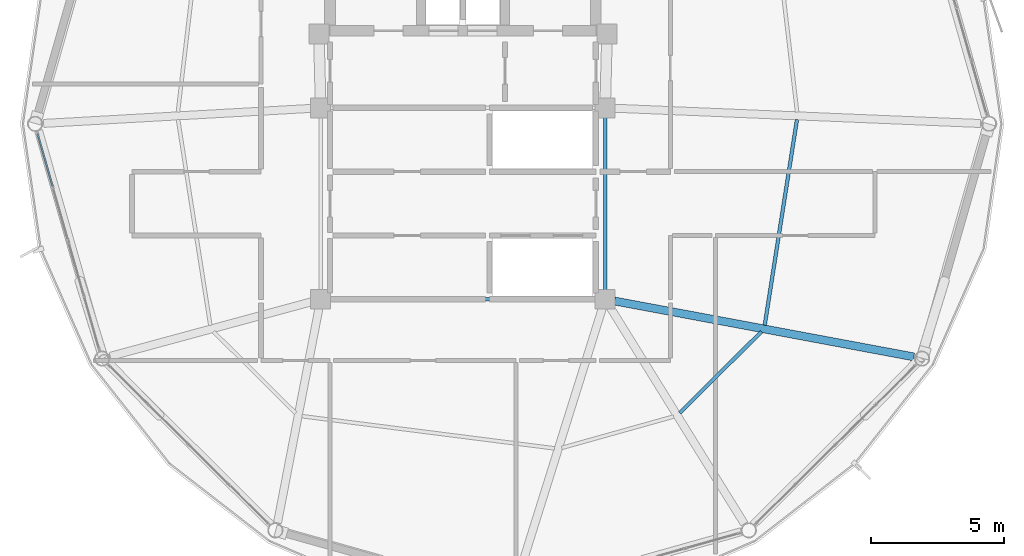
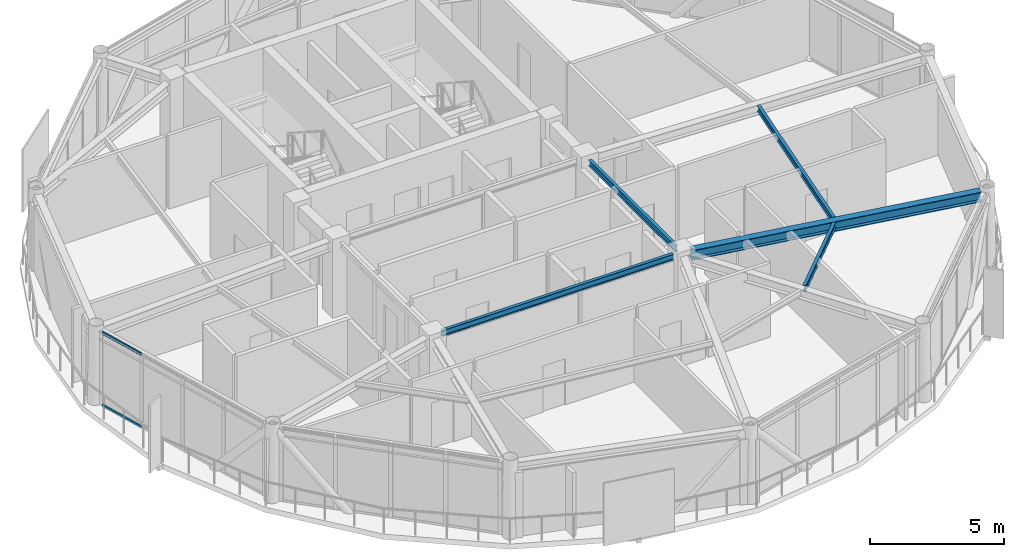
# One storey, part 9 of 25: 5 beams, 2 members, 1 element without a shape of its own.
"""IFC4 building model written with IfcOpenShell, lengths in metres."""

from ifc_helpers import new_model, si_unit, direction, frame, origin, origin_2d, place, context, subcontext, project, spatial, hollow_rectangle, i_section, extrude, material, layer, layer_set, material_profile, profile_set, type_object, element, aggregate, save


model = new_model("IFC4")

# Units and contexts
model_context = context("Model", 3, precision=1e-05, world=origin(), true_north=direction((0.0, 1.0)))
body_context = subcontext(model_context, "Body", "Model", "MODEL_VIEW")
ifc_project = project(units=[si_unit("LENGTHUNIT", "METRE"), si_unit("AREAUNIT", "SQUARE_METRE"), si_unit("VOLUMEUNIT", "CUBIC_METRE"), si_unit("PLANEANGLEUNIT", "RADIAN"), si_unit("MASSUNIT", "GRAM", prefix="KILO")], contexts=[model_context])

# Site, building, storey
site_placement = place(None, origin())
site = spatial("IfcSite", under=ifc_project, at=site_placement, CompositionType="ELEMENT")
building_placement = place(site_placement, origin())
building = spatial("IfcBuilding", under=site, at=building_placement, Name="Varnakorn Sky Granary", CompositionType="ELEMENT")
storey_placement = place(building_placement, frame((0.0, 0.0, 277.800048828125)))
storey = spatial("IfcBuildingStorey", under=building, at=storey_placement, Name="L71", CompositionType="ELEMENT", Elevation=277.800048828125)

# Beams
ifc_material_1 = material(Name="Steel S355JR", Category="steel")
ifc_material_profile_1 = material_profile(ifc_material_1, i_section(OverallWidth=0.300048828125, OverallDepth=0.449951171875, WebThickness=0.013916015625, FlangeThickness=0.02587890625, at=origin_2d()), Name="HE 450 B")
ifc_profile_set_1 = profile_set([ifc_material_profile_1], Name="Steel S355JR")
beam_type_1 = type_object("IfcBeamType", Name="BM-RAD-Z5", PredefinedType="BEAM", material=ifc_profile_set_1)
beam_1_placement = place(storey_placement, frame((8.698974609375, -6.665283203125, 3.135009765625), z_axis=(0.983014457229, -0.183528136477, 0.0), x_axis=(0.183528136477, 0.983014457229, 0.0)))
element("IfcBeam", 1, at=beam_1_placement, inside=storey, type_object=beam_type_1, Name="Radial Floor Girder RG12 L71", PredefinedType="BEAM", context=body_context, shape_type="SweptSolid", body=[
    extrude(i_section(OverallWidth=0.300048828125, OverallDepth=0.449951171875, WebThickness=0.013916015625, FlangeThickness=0.02587890625, at=origin_2d()), origin(), (0.0, 0.0, 1.0), 11.45751953125),
])
ifc_material_profile_2 = material_profile(ifc_material_1, i_section(OverallWidth=0.135009765625, OverallDepth=0.27001953125, WebThickness=0.006591796875, FlangeThickness=0.01025390625, at=origin_2d()), Name="IPE 270")
ifc_profile_set_2 = profile_set([ifc_material_profile_2], Name="Steel S355JR")
beam_type_2 = type_object("IfcBeamType", Name="BM-SEC-Z5", PredefinedType="BEAM", material=ifc_profile_set_2)
beam_2_placement = place(storey_placement, frame((11.160400390625, -10.875, 3.224853515625), z_axis=(0.708400969309, 0.705810220018, 0.0), x_axis=(-0.705810220018, 0.708400969309, 0.0)))
element("IfcBeam", 2, at=beam_2_placement, inside=storey, type_object=beam_type_2, Name="Secondary Floor Chord Beam MSB11 L71", PredefinedType="BEAM", context=body_context, shape_type="SweptSolid", body=[
    extrude(i_section(OverallWidth=0.135009765625, OverallDepth=0.27001953125, WebThickness=0.006591796875, FlangeThickness=0.01025390625, at=origin_2d()), origin(), (0.0, 0.0, 1.0), 4.334716796875),
])
beam_3_placement = place(storey_placement, frame((14.352294921875, -7.578369140625, 3.224853515625), z_axis=(0.154939734473, 0.987923923529, 0.0), x_axis=(-0.987923923529, 0.154939734473, 0.0)))
element("IfcBeam", 3, at=beam_3_placement, inside=storey, type_object=beam_type_2, Name="Secondary Floor Chord Beam MSB12 L71", PredefinedType="BEAM", context=body_context, shape_type="SweptSolid", body=[
    extrude(i_section(OverallWidth=0.135009765625, OverallDepth=0.27001953125, WebThickness=0.006591796875, FlangeThickness=0.01025390625, at=origin_2d()), origin(), (0.0, 0.0, 1.0), 7.832763671875),
])
beam_4_placement = place(storey_placement, frame((8.35009765625, 0.2451171875, 3.224853515625), z_axis=(0.0, -1.0, 0.0), x_axis=(1.0, 0.0, 0.0)))
element("IfcBeam", 4, at=beam_4_placement, inside=storey, type_object=beam_type_2, Name="Core Spine Framing Beam 4 L71", PredefinedType="BEAM", context=body_context, shape_type="SweptSolid", body=[
    extrude(i_section(OverallWidth=0.135009765625, OverallDepth=0.27001953125, WebThickness=0.006591796875, FlangeThickness=0.01025390625, at=origin_2d()), origin(), (0.0, 0.0, 1.0), 6.490234375),
])
beam_5_placement = place(storey_placement, frame((-1.9951171875, -6.60009765625, 3.224853515625), z_axis=(1.0, 0.0, 0.0), x_axis=(0.0, 1.0, 0.0)))
element("IfcBeam", 5, at=beam_5_placement, inside=storey, type_object=beam_type_2, Name="Core Spine Framing Beam 6 L71", PredefinedType="BEAM", context=body_context, shape_type="SweptSolid", body=[
    extrude(i_section(OverallWidth=0.135009765625, OverallDepth=0.27001953125, WebThickness=0.006591796875, FlangeThickness=0.01025390625, at=origin_2d()), origin(), (0.0, 0.0, 1.0), 9.990234375),
])

# Curtain wall, members
ifc_material_2 = material(Name="Anodised Bronze Aluminium Alloy 6063-T6", Category="aluminium")
ifc_layer = layer(ifc_material_2, 0.159912109375, Name="Anodised Bronze Aluminium Alloy 6063-T6")
ifc_layer_set = layer_set([ifc_layer], Name="Anodised Bronze Aluminium Alloy 6063-T6")
curtain_wall_type = type_object("IfcCurtainWallType", Name="CW-OFF-1", PredefinedType="USERDEFINED", material=ifc_layer_set)
curtain_wall_placement = place(storey_placement, origin())
curtain_wall = element("IfcCurtainWall", 6, at=curtain_wall_placement, inside=storey, type_object=curtain_wall_type, Name="Unitised Curtain Wall CW6 CW-L71-B07", ObjectType="CURTAIN WALL", PredefinedType="USERDEFINED")
ifc_material_profile_3 = material_profile(ifc_material_2, hollow_rectangle(XDim=0.06494140625, YDim=0.1201171875, WallThickness=0.00341796875, at=origin_2d()), Name="ALU TRAN 65x120")
ifc_profile_set_3 = profile_set([ifc_material_profile_3], Name="Anodised Bronze Aluminium Alloy 6063-T6")
member_type = type_object("IfcMemberType", Name="CW-OFF-1-TRAN", PredefinedType="USERDEFINED", material=ifc_profile_set_3)
member_1_placement = place(storey_placement, frame((-12.434814453125, -2.34033203125, 0.032470703125), z_axis=(-0.274530454279, 0.96157840537, 0.0), x_axis=(-0.96157840537, -0.274530454279, 0.0)))
member_1 = element("IfcMember", 7, at=member_1_placement, type_object=member_type, Name="CW6 transom 4.1", ObjectType="TRANSOM", PredefinedType="USERDEFINED", context=body_context, shape_type="SweptSolid", body=[
    extrude(hollow_rectangle(XDim=0.06494140625, YDim=0.1201171875, WallThickness=0.00341796875, at=origin_2d()), origin(), (0.0, 0.0, 1.0), 2.029296875),
])
member_2_placement = place(storey_placement, frame((-12.434814453125, -2.34033203125, 3.327392578125), z_axis=(-0.274530454279, 0.96157840537, 0.0), x_axis=(-0.96157840537, -0.274530454279, 0.0)))
member_2 = element("IfcMember", 8, at=member_2_placement, type_object=member_type, Name="CW6 transom 4.2", ObjectType="TRANSOM", PredefinedType="USERDEFINED", context=body_context, shape_type="SweptSolid", body=[
    extrude(hollow_rectangle(XDim=0.06494140625, YDim=0.1201171875, WallThickness=0.00341796875, at=origin_2d()), origin(), (0.0, 0.0, 1.0), 2.029296875),
])
aggregate(curtain_wall, [member_1, member_2])

save(model, "model.ifc")
